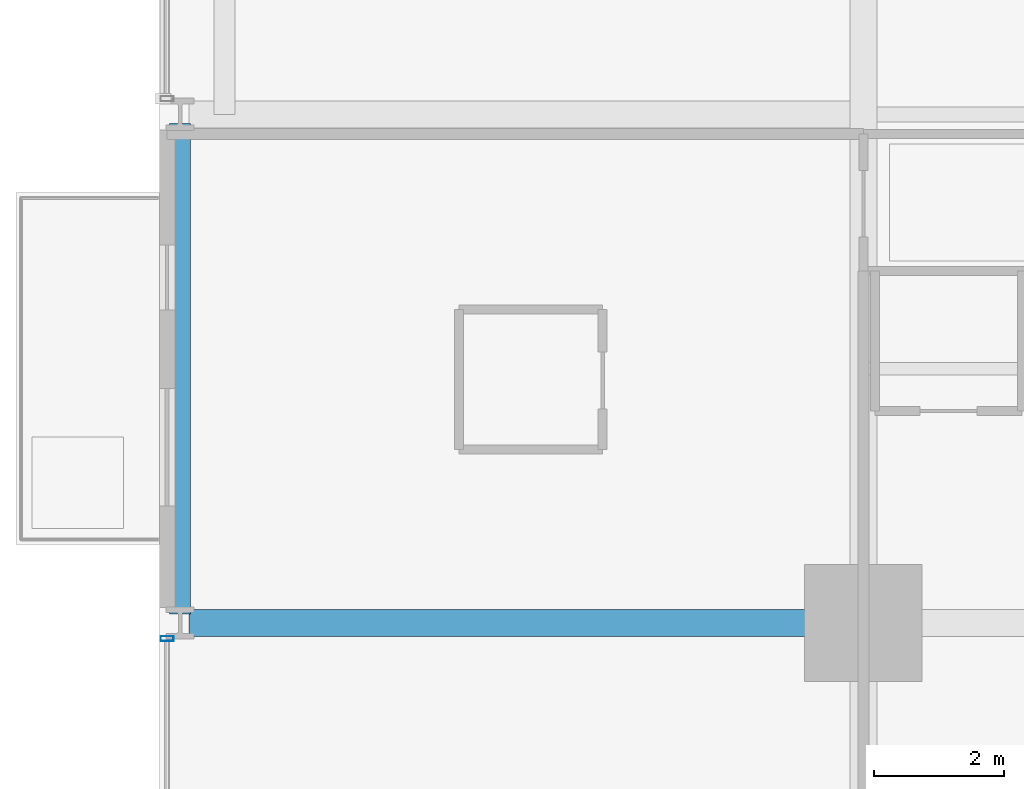
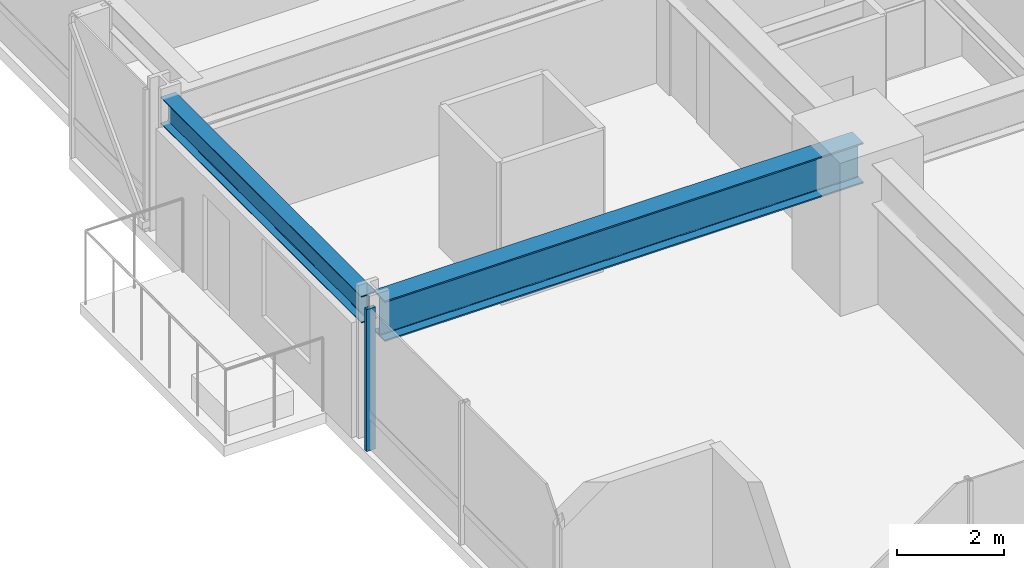
# One storey, part 4 of 39: 2 beams, 1 member, 1 element without a shape of its own.
"""IFC4 building model written with IfcOpenShell, lengths in metres."""

from ifc_helpers import new_model, si_unit, direction, frame, origin, origin_2d, place, context, subcontext, project, spatial, hollow_rectangle, i_section, extrude, material, layer, layer_set, material_profile, profile_set, type_object, element, aggregate, save


model = new_model("IFC4")

# Units and contexts
model_context = context("Model", 3, precision=1e-05, world=origin(), true_north=direction((0.0, 1.0)))
body_context = subcontext(model_context, "Body", "Model", "MODEL_VIEW")
ifc_project = project(units=[si_unit("LENGTHUNIT", "METRE"), si_unit("AREAUNIT", "SQUARE_METRE"), si_unit("VOLUMEUNIT", "CUBIC_METRE"), si_unit("PLANEANGLEUNIT", "RADIAN"), si_unit("MASSUNIT", "GRAM", prefix="KILO")], contexts=[model_context])

# Site, building, storey
site_placement = place(None, origin())
site = spatial("IfcSite", under=ifc_project, at=site_placement, CompositionType="ELEMENT")
building_placement = place(site_placement, origin())
building = spatial("IfcBuilding", under=site, at=building_placement, Name="Drelvath Grand Hotel", CompositionType="ELEMENT")
storey_placement = place(building_placement, frame((0.0, 0.0, 54.199951171875)))
storey = spatial("IfcBuildingStorey", under=building, at=storey_placement, Name="L12", CompositionType="ELEMENT", Elevation=54.199951171875)

# Curtain wall, member
ifc_material_1 = material(Name="Warm Bronze Anodised Aluminium Frame", Category="aluminium")
ifc_layer = layer(ifc_material_1, 0.199951171875)
ifc_layer_set = layer_set([ifc_layer], Name="Warm Bronze Anodised Aluminium Frame")
curtain_wall_type = type_object("IfcCurtainWallType", Name="Stick Curtain Wall CW-02 Warm Bronze Low-Rise", PredefinedType="NOTDEFINED", material=ifc_layer_set)
curtain_wall_placement = place(storey_placement, origin())
curtain_wall = element("IfcCurtainWall", 1, at=curtain_wall_placement, inside=storey, type_object=curtain_wall_type, Name="L12 CW-02 Curtain Wall CW02-L12-WS1", PredefinedType="NOTDEFINED")
ifc_material_profile_1 = material_profile(ifc_material_1, hollow_rectangle(XDim=0.080078125, YDim=0.199951171875, WallThickness=0.0048828125, at=origin_2d()), Name="HSS200X80X5")
ifc_profile_set_1 = profile_set([ifc_material_profile_1], Name="Warm Bronze Anodised Aluminium Frame")
member_type = type_object("IfcMemberType", Name="Curtain Wall Vertical Mullion CW-02 HSS200X80X5", PredefinedType="MULLION", material=ifc_profile_set_1)
member_placement = place(storey_placement, frame((-26.8798828125, 10.55908203125, 0.0), z_axis=(0.0, 0.0, 1.0), x_axis=(0.0, 1.0, 0.0)))
member = element("IfcMember", 2, at=member_placement, type_object=member_type, Name="CW02-L12-WS1 Mullion 3", PredefinedType="MULLION", context=body_context, shape_type="SweptSolid", body=[
    extrude(hollow_rectangle(XDim=0.080078125, YDim=0.199951171875, WallThickness=0.0048828125, at=origin_2d()), origin(), (0.0, 0.0, 1.0), 3.239990234375),
])
aggregate(curtain_wall, [member])

# Beams
ifc_material_2 = material(Name="Steel ASTM A992 Gr 50", Category="steel")
ifc_material_profile_2 = material_profile(ifc_material_2, i_section(OverallWidth=0.323974609375, OverallDepth=0.611083984375, WebThickness=0.0126953125, FlangeThickness=0.01904296875, FilletRadius=0.02197265625, at=origin_2d()), Name="W24X104")
ifc_profile_set_2 = profile_set([ifc_material_profile_2], Name="Steel ASTM A992 Gr 50")
beam_type_1 = type_object("IfcBeamType", Name="Perimeter Spandrel Beam W24X104", PredefinedType="SPANDREL", material=ifc_profile_set_2)
beam_1_placement = place(storey_placement, frame((-26.679931640625, 10.93994140625, 2.9345703125), z_axis=(0.0, 1.0, 0.0), x_axis=(-1.0, 0.0, 0.0)))
element("IfcBeam", 3, at=beam_1_placement, inside=storey, type_object=beam_type_1, Name="L12 Spandrel West S", PredefinedType="SPANDREL", context=body_context, shape_type="SweptSolid", body=[
    extrude(i_section(OverallWidth=0.323974609375, OverallDepth=0.611083984375, WebThickness=0.0126953125, FlangeThickness=0.01904296875, FilletRadius=0.02197265625, at=origin_2d()), origin(), (0.0, 0.0, 1.0), 7.52001953125),
])
ifc_material_profile_3 = material_profile(ifc_material_2, i_section(OverallWidth=0.418212890625, OverallDepth=0.926513671875, WebThickness=0.019287109375, FlangeThickness=0.031982421875, FilletRadius=0.028076171875, at=origin_2d()), Name="W36X231")
ifc_profile_set_3 = profile_set([ifc_material_profile_3], Name="Steel ASTM A992 Gr 50")
beam_type_2 = type_object("IfcBeamType", Name="Primary Floor Girder W36X231", PredefinedType="BEAM", material=ifc_profile_set_3)
beam_2_placement = place(storey_placement, frame((-26.5400390625, 10.800048828125, 2.77685546875), z_axis=(1.0, 0.0, 0.0), x_axis=(0.0, 1.0, 0.0)))
element("IfcBeam", 4, at=beam_2_placement, inside=storey, type_object=beam_type_2, Name="L12 West Grid Girder C", PredefinedType="BEAM", context=body_context, shape_type="SweptSolid", body=[
    extrude(i_section(OverallWidth=0.418212890625, OverallDepth=0.926513671875, WebThickness=0.019287109375, FlangeThickness=0.031982421875, FilletRadius=0.028076171875, at=origin_2d()), origin(), (0.0, 0.0, 1.0), 10.340087890625),
])

save(model, "model.ifc")
